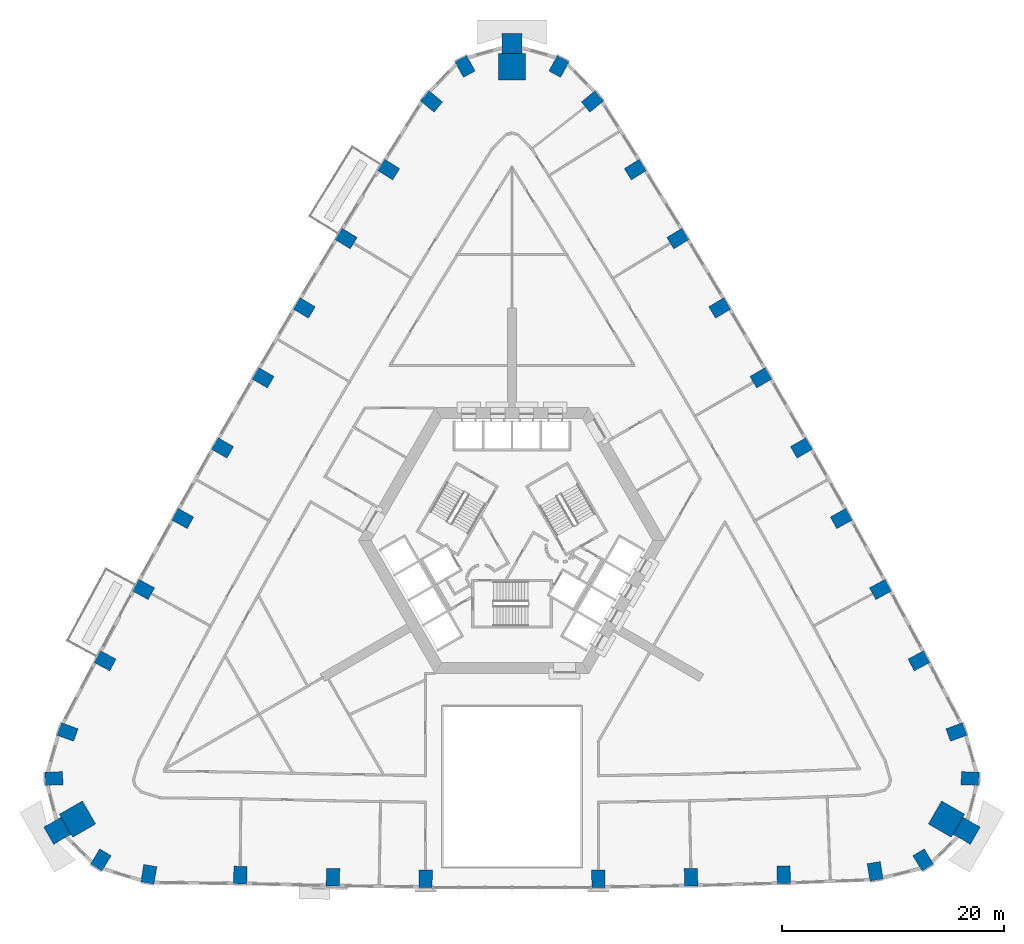
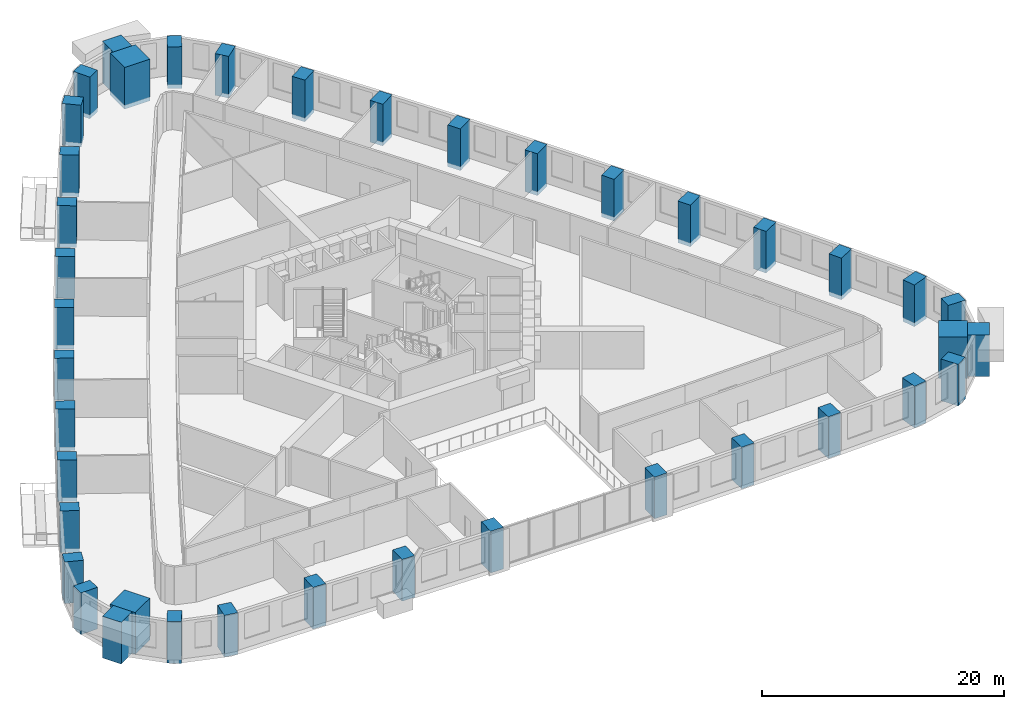
# One storey, part 1 of 15: 40 columns.
"""IFC4 building model written with IfcOpenShell, lengths in metres."""

import ifcopenshell
import ifcopenshell.guid

model = None  # the IFC model being written
_history = None  # IfcOwnerHistory: only IFC2X3 demands one
_inside = {}  # id of a spatial element -> (the spatial element, [elements in it])
_under = {}  # id of a project, library or spatial element -> (it, [spatial elements below it])
_declared = {}  # id of a project -> (the project, [libraries it declares])
_typed = {}  # id of a type object -> (the type object, [elements of that type])
_made_of = {}  # id of a material, layer set ... -> (it, [elements and type objects made of it])


def new_model(schema):
    """Start an empty IFC model of exactly this schema.

    Asked for "IFC4X3", IfcOpenShell would pick the latest addendum, in which some entities
    have other attributes; the version numbers below select the first issue.
    IFC2X3 requires an IfcOwnerHistory on every rooted entity: one is made here for all.
    """
    global model, _history
    if schema == "IFC4X3":
        model = ifcopenshell.file(schema_version=(4, 3, 0, 0))
    else:
        model = ifcopenshell.file(schema=schema)
    _inside.clear()
    _under.clear()
    _declared.clear()
    _typed.clear()
    _made_of.clear()
    _history = None
    if model.schema == "IFC2X3":
        org = make("IfcOrganization", Name="unknown")
        user = make(
            "IfcPersonAndOrganization",
            ThePerson=make("IfcPerson", FamilyName="unknown"),
            TheOrganization=org,
        )
        app = make(
            "IfcApplication",
            ApplicationDeveloper=org,
            Version="unknown",
            ApplicationFullName="unknown",
            ApplicationIdentifier="unknown",
        )
        _history = make(
            "IfcOwnerHistory",
            OwningUser=user,
            OwningApplication=app,
            ChangeAction="ADDED",
            CreationDate=0,
        )
    return model


def make(cls, **values):
    """One entity of the class cls with the attributes given. An attribute that is None is left unset."""
    return model.create_entity(
        cls, **{name: value for name, value in values.items() if value is not None}
    )


def rooted(cls, **values):
    """An entity with a GlobalId (a new one), such as an element, a storey or a relation."""
    return make(cls, GlobalId=ifcopenshell.guid.new(), OwnerHistory=_history, **values)


def si_unit(unit_type, name, prefix=None):
    """IfcSIUnit, for example si_unit("LENGTHUNIT", "METRE", prefix="MILLI")."""
    return make("IfcSIUnit", UnitType=unit_type, Prefix=prefix, Name=name)


def assignment(units):
    """IfcUnitAssignment: the units of a project."""
    return None if units is None else make("IfcUnitAssignment", Units=units)


def point(xyz):
    """IfcCartesianPoint."""
    return None if xyz is None else make("IfcCartesianPoint", Coordinates=xyz)


def direction(xyz):
    """IfcDirection."""
    return None if xyz is None else make("IfcDirection", DirectionRatios=xyz)


def frame(location, z_axis=None, x_axis=None):
    """IfcAxis2Placement3D, a coordinate frame: its origin and axes. An axis left out is left unset."""
    return make(
        "IfcAxis2Placement3D",
        Location=point(location),
        Axis=direction(z_axis),
        RefDirection=direction(x_axis),
    )


def frame_2d(location, x_axis=None):
    """IfcAxis2Placement2D, a coordinate frame in the plane: its origin and x axis."""
    return make(
        "IfcAxis2Placement2D", Location=point(location), RefDirection=direction(x_axis)
    )


def origin():
    """The frame at (0, 0, 0) with its axes left unset."""
    return frame((0.0, 0.0, 0.0))


def origin_2d():
    """The frame at (0, 0) in the plane with its x axis left unset."""
    return frame_2d((0.0, 0.0))


def place(relative_to, where):
    """IfcLocalPlacement: puts the frame where relative to a parent placement (None: the world)."""
    return make(
        "IfcLocalPlacement", PlacementRelTo=relative_to, RelativePlacement=where
    )


def context(
    kind, dimensions, precision=None, world=None, true_north=None, identifier=None
):
    """IfcGeometricRepresentationContext, for example the 3D "Model" context."""
    return make(
        "IfcGeometricRepresentationContext",
        ContextIdentifier=identifier,
        ContextType=kind,
        CoordinateSpaceDimension=dimensions,
        Precision=precision,
        WorldCoordinateSystem=world,
        TrueNorth=true_north,
    )


def subcontext(parent, identifier, kind, view, scale=None):
    """IfcGeometricRepresentationSubContext, for example "Body" below "Model"."""
    return make(
        "IfcGeometricRepresentationSubContext",
        ContextIdentifier=identifier,
        ContextType=kind,
        ParentContext=parent,
        TargetScale=scale,
        TargetView=view,
    )


def project(units=None, contexts=None):
    """IfcProject with its units and contexts."""
    return rooted(
        "IfcProject",
        Name="project",
        RepresentationContexts=contexts,
        UnitsInContext=assignment(units),
    )


def spatial(cls, under=None, at=None, **own):
    """A site, building, storey or space (cls), placed at a placement, below another one or the project."""
    s = rooted(cls, ObjectPlacement=at, **own)
    if under is not None:
        _under.setdefault(under.id(), (under, []))[1].append(s)
    return s


def profile(cls, at=None, kind="AREA", **sizes):
    """A parametric profile (cls). Its sizes go by their IFC names, for example OverallWidth=200.0."""
    return make(cls, ProfileType=kind, Position=at, **sizes)


def rectangle(**sizes):
    """IfcRectangleProfileDef."""
    return profile("IfcRectangleProfileDef", **sizes)


def extrude(swept, where, along, depth):
    """IfcExtrudedAreaSolid: the profile swept, set in the frame where, extruded along a direction by depth."""
    return make(
        "IfcExtrudedAreaSolid",
        SweptArea=swept,
        Position=where,
        ExtrudedDirection=direction(along),
        Depth=depth,
    )


def shape(context_of_items, identifier, shape_type, items):
    """IfcShapeRepresentation: the items that make up one representation, for example the "Body"."""
    return make(
        "IfcShapeRepresentation",
        ContextOfItems=context_of_items,
        RepresentationIdentifier=identifier,
        RepresentationType=shape_type,
        Items=items,
    )


def material(Name=None, Category=None):
    """IfcMaterial."""
    return make("IfcMaterial", Name=Name, Category=Category)


def material_profile(
    of_material, cross_section, Name=None, Category=None, Priority=None
):
    """IfcMaterialProfile: a cross section and its material."""
    return make(
        "IfcMaterialProfile",
        Name=Name,
        Material=of_material,
        Profile=cross_section,
        Priority=Priority,
        Category=Category,
    )


def profile_set(profiles, Name=None, composite=None):
    """IfcMaterialProfileSet."""
    return make(
        "IfcMaterialProfileSet",
        Name=Name,
        MaterialProfiles=profiles,
        CompositeProfile=composite,
    )


def made_of(thing, what):
    """Note that an element or type object is made of a material, layer set ...; save() writes the relation."""
    if what is not None:
        _made_of.setdefault(what.id(), (what, []))[1].append(thing)
    return thing


def type_object(cls, material=None, **own):
    """A type object (cls), such as IfcWallType, which elements share."""
    return made_of(rooted(cls, **own), material)


def element(
    cls,
    number,
    at=None,
    inside=None,
    cuts=None,
    type_object=None,
    material=None,
    context=None,
    identifier="Body",
    shape_type=None,
    held_by="IfcProductDefinitionShape",
    body=None,
    shapes=None,
    **own,
):
    """One element of the class cls, such as IfcWall. Its Tag is "e" and its number.

    at: its placement. inside: the storey or other place that contains it. cuts: it is an
    opening in that element (IfcRelVoidsElement). A single representation is given by context,
    identifier, shape_type and body (its items); several are given by shapes. held_by: the class
    of the entity that holds the representations. save() writes the other relations.
    """
    e = rooted(cls, Tag="e%d" % number, ObjectPlacement=at, **own)
    if body is not None:
        shapes = [shape(context, identifier, shape_type, body)]
    if shapes is not None:
        e.Representation = make(held_by, Representations=shapes)
    if inside is not None:
        _inside.setdefault(inside.id(), (inside, []))[1].append(e)
    if cuts is not None:
        rooted(
            "IfcRelVoidsElement", RelatingBuildingElement=cuts, RelatedOpeningElement=e
        )
    if type_object is not None:
        _typed.setdefault(type_object.id(), (type_object, []))[1].append(e)
    return made_of(e, material)


def aggregate(whole, parts):
    """IfcRelAggregates: a whole, such as a stair, and the parts it consists of."""
    return rooted("IfcRelAggregates", RelatingObject=whole, RelatedObjects=parts)


def save(model, path):
    """Write the relations noted so far, then the file.

    IfcRelAggregates (storeys below a building ...), IfcRelContainedInSpatialStructure (elements
    in a storey), IfcRelDefinesByType, IfcRelAssociatesMaterial and IfcRelDeclares: one each for
    every whole, place, type object, material and project.
    """
    for whole, parts in _under.values():
        aggregate(whole, parts)
    for where, things in _inside.values():
        rooted(
            "IfcRelContainedInSpatialStructure",
            RelatedElements=things,
            RelatingStructure=where,
        )
    for kind, things in _typed.values():
        rooted("IfcRelDefinesByType", RelatedObjects=things, RelatingType=kind)
    for what, things in _made_of.values():
        rooted("IfcRelAssociatesMaterial", RelatedObjects=things, RelatingMaterial=what)
    for by, libraries in _declared.values():
        rooted("IfcRelDeclares", RelatingContext=by, RelatedDefinitions=libraries)
    model.write(path)


model = new_model("IFC4")

# Units and contexts
model_context = context("Model", 3, precision=1e-05, world=origin(), true_north=direction((0.0, 1.0)))
body_context = subcontext(model_context, "Body", "Model", "MODEL_VIEW")
ifc_project = project(units=[si_unit("LENGTHUNIT", "METRE"), si_unit("AREAUNIT", "SQUARE_METRE"), si_unit("VOLUMEUNIT", "CUBIC_METRE"), si_unit("PLANEANGLEUNIT", "RADIAN"), si_unit("MASSUNIT", "GRAM", prefix="KILO")], contexts=[model_context])

# Site, building, storey
site_placement = place(None, origin())
site = spatial("IfcSite", under=ifc_project, at=site_placement, CompositionType="ELEMENT")
building_placement = place(site_placement, origin())
building = spatial("IfcBuilding", under=site, at=building_placement, Name="Entoto Arch Interchange Tower", CompositionType="ELEMENT")
storey_placement = place(building_placement, frame((0.0, 0.0, 56.0)))
storey = spatial("IfcBuildingStorey", under=building, at=storey_placement, Name="L11", CompositionType="ELEMENT", Elevation=56.0)

# Columns
ifc_material_1 = material(Name="Concrete C60/75", Category="concrete")
ifc_material_profile_1 = material_profile(ifc_material_1, rectangle(XDim=1.199951171875, YDim=1.60009765625, at=origin_2d()))
ifc_profile_set_1 = profile_set([ifc_material_profile_1], Name="Concrete C60/75")
column_type_1 = type_object("IfcColumnType", Name="Column RC 1200x1600 C60/75", PredefinedType="COLUMN", material=ifc_profile_set_1)
for number, where, z_axis, x_axis, name in (
    (1, (-32.760986328125, -27.60888671875, -0.39990234375), (0.0, 0.0, 1.0), (-0.98600476771, 0.166717119856, 0.0), "Column S01 L11"),
    (2, (-24.510009765625, -27.68994140625, -0.39990234375), (0.0, 0.0, 1.0), (-0.999434480961, 0.033626154508, 0.0), "Column S02 L11"),
    (3, (-16.14990234375, -27.876953125, -0.39990234375), (0.0, 0.0, 1.0), (-0.99975435134, 0.022163866481, 0.0), "Column S03 L11"),
    (4, (-7.79296875, -28.010009765625, -0.39990234375), (0.0, 0.0, 1.0), (-0.999966355195, 0.008202955488, 0.0), "Column S04 L11"),
    (5, (7.79296875, -28.010009765625, -0.39990234375), (0.0, 0.0, 1.0), (0.999966355195, 0.008202955488, 0.0), "Column S05 L11"),
    (6, (16.14990234375, -27.876953125, -0.39990234375), (0.0, 0.0, 1.0), (0.99975435134, 0.022163866481, 0.0), "Column S06 L11"),
    (7, (24.510009765625, -27.652099609375, -0.39990234375), (0.0, 0.0, 1.0), (0.999434480961, 0.033626154508, 0.0), "Column S07 L11"),
    (8, (32.760986328125, -27.344970703125, -0.39990234375), (0.0, 0.0, 1.0), (0.98600476771, 0.166717119856, 0.0), "Column S08 L11"),
    (9, (37.087890625, -26.306884765625, -0.39990234375), (0.0, 0.0, 1.0), (0.854522294989, 0.519414716163, 0.0), "Column SE1 L11"),
    (10, (41.325927734375, -18.966064453125, -0.39990234375), (0.0, 0.0, 1.0), (0.022565191802, 0.999745373642, 0.0), "Column SE3 L11"),
    (11, (40.096923828125, -14.77001953125, -0.39990234375), (0.0, 0.0, 1.0), (-0.348277574304, 0.937391450375, 0.0), "Column NE01 L11"),
    (12, (36.7080078125, -8.34912109375, -0.39990234375), (0.0, 0.0, 1.0), (-0.46931745221, 0.883029517656, 0.0), "Column NE02 L11"),
    (13, (33.238037109375, -1.9130859375, -0.39990234375), (0.0, 0.0, 1.0), (-0.478140110514, 0.878283573066, 0.0), "Column NE03 L11"),
    (14, (29.7060546875, 4.487060546875, -0.39990234375), (0.0, 0.0, 1.0), (-0.486914781103, 0.873449481048, 0.0), "Column NE04 L11"),
    (15, (26.112060546875, 10.85498046875, -0.39990234375), (0.0, 0.0, 1.0), (-0.495655741916, 0.868519076074, 0.0), "Column NE05 L11"),
    (16, (22.45703125, 17.18603515625, -0.39990234375), (0.0, 0.0, 1.0), (-0.504331712594, 0.863510002068, 0.0), "Column NE06 L11"),
    (17, (18.739013671875, 23.48193359375, -0.39990234375), (0.0, 0.0, 1.0), (-0.512972048958, 0.858405310438, 0.0), "Column NE07 L11"),
    (18, (14.9609375, 29.742919921875, -0.39990234375), (0.0, 0.0, 1.0), (-0.521545830745, 0.853223268806, 0.0), "Column NE08 L11"),
    (19, (11.123046875, 35.965087890625, -0.39990234375), (0.0, 0.0, 1.0), (-0.530067268476, 0.847955594881, 0.0), "Column NE09 L11"),
    (20, (7.258056640625, 42.111083984375, -0.39990234375), (0.0, 0.0, 1.0), (-0.637666022163, 0.770312952103, 0.0), "Column NE10 L11"),
    (21, (4.238037109375, 45.27197265625, -0.39990234375), (0.0, 0.0, 1.0), (-0.877079103306, 0.48034596547, 0.0), "Column N1 L11"),
    (22, (-4.238037109375, 45.27197265625, -0.39990234375), (0.0, 0.0, 1.0), (0.877079103306, 0.48034596547, 0.0), "Column N3 L11"),
    (23, (-7.258056640625, 42.111083984375, -0.39990234375), (0.0, 0.0, 1.0), (0.637666022163, 0.770312952103, 0.0), "Column NW01 L11"),
    (24, (-11.123046875, 35.965087890625, -0.39990234375), (0.0, 0.0, 1.0), (0.530067268476, 0.847955594881, 0.0), "Column NW02 L11"),
    (25, (-14.9609375, 29.742919921875, -0.39990234375), (0.0, 0.0, 1.0), (0.521545830745, 0.853223268806, 0.0), "Column NW03 L11"),
    (26, (-18.739013671875, 23.48193359375, -0.39990234375), (0.0, 0.0, 1.0), (0.512972048958, 0.858405310438, 0.0), "Column NW04 L11"),
    (27, (-22.45703125, 17.18603515625, -0.39990234375), (0.0, 0.0, 1.0), (0.504331712594, 0.863510002068, 0.0), "Column NW05 L11"),
    (28, (-26.112060546875, 10.85498046875, -0.39990234375), (0.0, 0.0, 1.0), (0.495655741916, 0.868519076074, 0.0), "Column NW06 L11"),
    (29, (-29.7060546875, 4.487060546875, -0.39990234375), (0.0, 0.0, 1.0), (0.486914781103, 0.873449481048, 0.0), "Column NW07 L11"),
    (30, (-33.238037109375, -1.9130859375, -0.39990234375), (0.0, 0.0, 1.0), (0.478140110514, 0.878283573066, 0.0), "Column NW08 L11"),
    (31, (-36.7080078125, -8.34912109375, -0.39990234375), (0.0, 0.0, 1.0), (0.46931745221, 0.883029517656, 0.0), "Column NW09 L11"),
    (32, (-40.096923828125, -14.77001953125, -0.39990234375), (0.0, 0.0, 1.0), (0.348277574304, 0.937391450375, 0.0), "Column NW10 L11"),
    (33, (-41.325927734375, -18.966064453125, -0.39990234375), (0.0, 0.0, 1.0), (-0.022565191802, 0.999745373642, 0.0), "Column SW1 L11"),
    (34, (-37.087890625, -26.306884765625, -0.39990234375), (0.0, 0.0, 1.0), (-0.854522294989, 0.519414716163, 0.0), "Column SW3 L11"),
):
    element("IfcColumn", number, at=place(storey_placement, frame(where, z_axis=z_axis, x_axis=x_axis)), inside=storey, type_object=column_type_1, Name=name, PredefinedType="COLUMN", context=body_context, shape_type="SweptSolid", body=[
        extrude(rectangle(XDim=1.199951171875, YDim=1.60009765625, at=origin_2d()), origin(), (0.0, 0.0, 1.0), 4.199951171875),
    ])
ifc_material_2 = material(Name="Precast concrete C40/50", Category="concrete")
ifc_material_profile_2 = material_profile(ifc_material_2, rectangle(XDim=1.800048828125, YDim=1.800048828125, at=origin_2d()))
ifc_profile_set_2 = profile_set([ifc_material_profile_2], Name="Precast concrete C40/50")
column_type_2 = type_object("IfcColumnType", Name="Frame post RC 1800x1800 precast C40/50", PredefinedType="COLUMN", material=ifc_profile_set_2)
for number, where, z_axis, x_axis, name in (
    (35, (41.012939453125, -23.678955078125, -0.39990234375), (0.0, 0.0, 1.0), (-0.866025403784, 0.5, 0.0), "Frame post SE L11"),
    (36, (0.0, 47.35791015625, -0.39990234375), (0.0, 0.0, 1.0), (0.0, 1.0, 0.0), "Frame post N L11"),
    (37, (-41.012939453125, -23.678955078125, -0.39990234375), (0.0, 0.0, 1.0), (0.866025403784, 0.5, 0.0), "Frame post SW L11"),
):
    element("IfcColumn", number, at=place(storey_placement, frame(where, z_axis=z_axis, x_axis=x_axis)), inside=storey, type_object=column_type_2, Name=name, PredefinedType="COLUMN", context=body_context, shape_type="SweptSolid", body=[
        extrude(rectangle(XDim=1.800048828125, YDim=1.800048828125, at=origin_2d()), origin(), (0.0, 0.0, 1.0), 4.199951171875),
    ])
ifc_material_profile_3 = material_profile(ifc_material_1, rectangle(XDim=2.39990234375, YDim=2.39990234375, at=origin_2d()))
ifc_profile_set_3 = profile_set([ifc_material_profile_3], Name="Concrete C60/75")
column_type_3 = type_object("IfcColumnType", Name="Mega column RC 2400x2400 C60/75", PredefinedType="COLUMN", material=ifc_profile_set_3)
for number, where, z_axis, x_axis, name in (
    (38, (39.194091796875, -22.62890625, -0.39990234375), (0.0, 0.0, 1.0), (-0.866025403784, 0.5, 0.0), "Corner mega column SE2 L11"),
    (39, (0.0, 45.258056640625, -0.39990234375), (0.0, 0.0, 1.0), (0.0, 1.0, 0.0), "Corner mega column N2 L11"),
    (40, (-39.194091796875, -22.62890625, -0.39990234375), (0.0, 0.0, 1.0), (0.866025403784, 0.5, 0.0), "Corner mega column SW2 L11"),
):
    element("IfcColumn", number, at=place(storey_placement, frame(where, z_axis=z_axis, x_axis=x_axis)), inside=storey, type_object=column_type_3, Name=name, PredefinedType="COLUMN", context=body_context, shape_type="SweptSolid", body=[
        extrude(rectangle(XDim=2.39990234375, YDim=2.39990234375, at=origin_2d()), origin(), (0.0, 0.0, 1.0), 4.199951171875),
    ])

save(model, "model.ifc")
